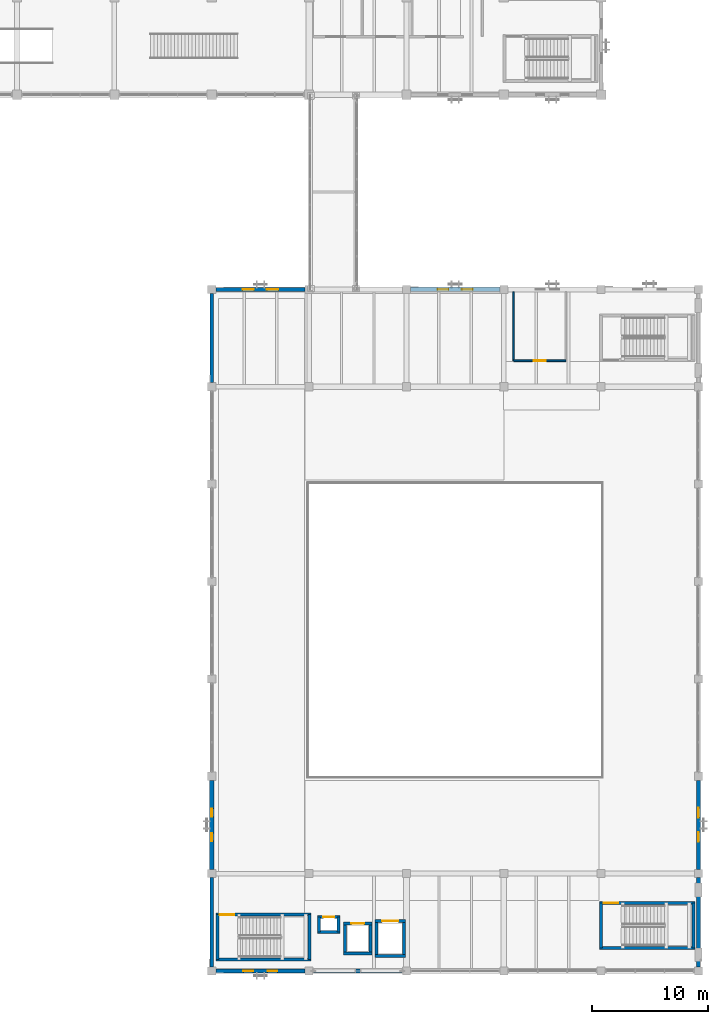
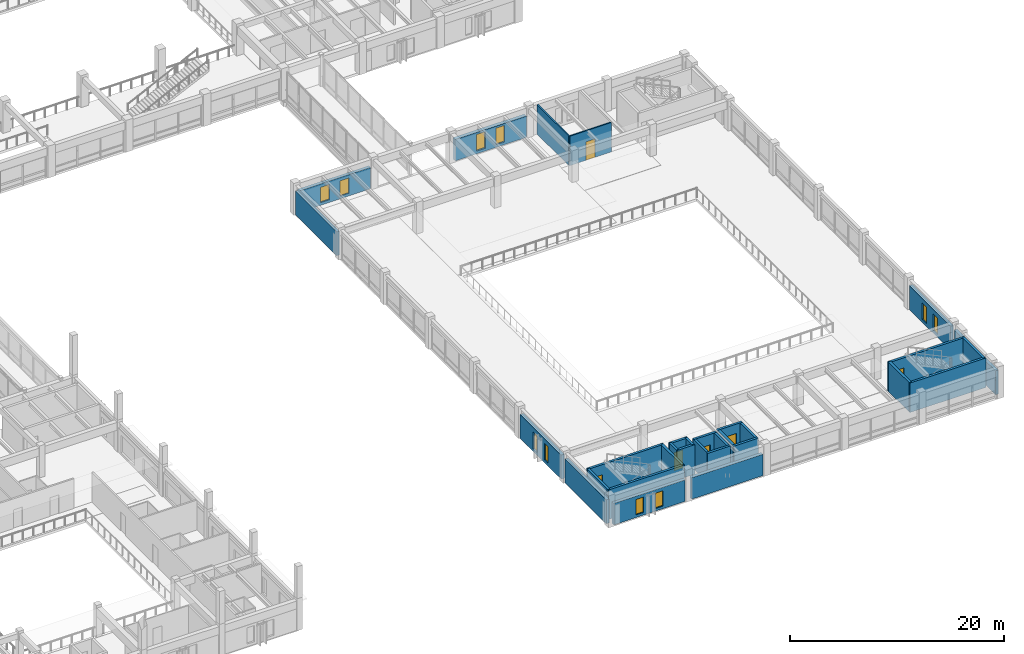
# One storey, part 79 of 118: 31 walls, 10 windows, 6 doors, 16 openings.
"""IFC4 building model written with IfcOpenShell, lengths in metres."""

from ifc_helpers import new_model, si_unit, direction, frame, frame_2d, origin, place, context, subcontext, project, spatial, rectangle, extrude, material, layer, layer_set, type_object, element, fill, save


model = new_model("IFC4")

# Units and contexts
model_context = context("Model", 3, precision=1e-05, world=origin(), true_north=direction((0.0, 1.0)))
body_context = subcontext(model_context, "Body", "Model", "MODEL_VIEW")
ifc_project = project(units=[si_unit("LENGTHUNIT", "METRE"), si_unit("AREAUNIT", "SQUARE_METRE"), si_unit("VOLUMEUNIT", "CUBIC_METRE"), si_unit("PLANEANGLEUNIT", "RADIAN"), si_unit("MASSUNIT", "GRAM", prefix="KILO")], contexts=[model_context])

# Site, building, storey
site_placement = place(None, origin())
site = spatial("IfcSite", under=ifc_project, at=site_placement, CompositionType="ELEMENT")
building_placement = place(site_placement, origin())
building = spatial("IfcBuilding", under=site, at=building_placement, Name="Cumbredor Promenade Congress Hotel", CompositionType="ELEMENT")
storey_placement = place(building_placement, frame((0.0, 0.0, 3.919921875)))
storey = spatial("IfcBuildingStorey", under=building, at=storey_placement, Name="L01", CompositionType="ELEMENT", Elevation=3.919921875)

# Wall
ifc_material_1 = material(Name="Concrete C40/50", Category="concrete")
ifc_layer_1 = layer(ifc_material_1, 0.280029296875, Name="Concrete C40/50", Category="concrete")
ifc_layer_set_1 = layer_set([ifc_layer_1], Name="Concrete C40/50")
wall_type_1 = type_object("IfcWallType", Name="WL-EXT-280", PredefinedType="SOLIDWALL", material=ifc_layer_set_1)
wall_1_placement = place(storey_placement, frame((142.800048828125, 59.15087890625, 0.0), z_axis=(0.0, 0.0, 1.0), x_axis=(0.0, 1.0, 0.0)))
element("IfcWall", 1, at=wall_1_placement, inside=storey, type_object=wall_type_1, Name="L01 Grand Ballroom Pavilion West Envelope Wall 7", PredefinedType="SOLIDWALL", context=body_context, shape_type="SweptSolid", body=[
    extrude(rectangle(XDim=7.6982421875, YDim=0.280029296875, at=frame_2d((3.84912109375, 0.0))), origin(), (0.0, 0.0, 1.0), 2.734130859375),
])

# Wall, openings, windows
ifc_layer_2 = layer(ifc_material_1, 0.324951171875, Name="Concrete C40/50", Category="concrete")
ifc_layer_set_2 = layer_set([ifc_layer_2], Name="Concrete C40/50")
wall_type_2 = type_object("IfcWallType", Name="WL-EXT-325", PredefinedType="SOLIDWALL", material=ifc_layer_set_2)
wall_2_placement = place(storey_placement, frame((143.15087890625, 8.39990234375, 0.0), z_axis=(0.0, 0.0, 1.0), x_axis=(1.0, 0.0, 0.0)))
wall_2 = element("IfcWall", 2, at=wall_2_placement, inside=storey, type_object=wall_type_2, Name="L01 Grand Ballroom Pavilion South Envelope Wall 1", PredefinedType="SOLIDWALL", context=body_context, shape_type="SweptSolid", body=[
    extrude(rectangle(XDim=7.6982421875, YDim=0.324951171875, at=frame_2d((3.84912109375, 0.0))), origin(), (0.0, 0.0, 1.0), 2.445068359375),
])
opening_1_placement = place(wall_2_placement, frame((2.37890625, 0.0, 0.300048828125)))
opening_1 = element("IfcOpeningElement", 3, at=opening_1_placement, cuts=wall_2, Name="Opening WN-62", PredefinedType="OPENING", context=body_context, shape_type="SweptSolid", body=[
    extrude(rectangle(XDim=0.840087890625, YDim=1.75, at=frame_2d((0.419921875, 0.875))), frame((0.0, 0.17236328125, 0.0), z_axis=(0.0, -1.0, 0.0), x_axis=(1.0, 0.0, 0.0)), (0.0, 0.0, 1.0), 0.344970703125),
])
opening_2_placement = place(wall_2_placement, frame((4.47900390625, 0.0, 0.300048828125)))
opening_2 = element("IfcOpeningElement", 4, at=opening_2_placement, cuts=wall_2, Name="Opening WN-62", PredefinedType="OPENING", context=body_context, shape_type="SweptSolid", body=[
    extrude(rectangle(XDim=0.840087890625, YDim=1.75, at=frame_2d((0.419921875, 0.875))), frame((0.0, 0.17236328125, 0.0), z_axis=(0.0, -1.0, 0.0), x_axis=(1.0, 0.0, 0.0)), (0.0, 0.0, 1.0), 0.344970703125),
])
ifc_material_2 = material(Name="Thermally broken anodized aluminium and low-E glass", Category="aluminium")
window_type_1 = type_object("IfcWindowType", Name="Vertical Slot Window WN-62 840x1750", PartitioningType="SINGLE_PANEL", PredefinedType="WINDOW", material=ifc_material_2)
window_1_placement = place(opening_1_placement, origin())
window_1 = element("IfcWindow", 5, at=window_1_placement, inside=storey, type_object=window_type_1, Name="L01 Vertical Slot Window 0109", OverallHeight=1.75, OverallWidth=0.840087890625, PartitioningType="SINGLE_PANEL", PredefinedType="WINDOW", context=body_context, shape_type="SweptSolid", body=[
    extrude(rectangle(XDim=0.840087890625, YDim=1.75, at=frame_2d((0.419921875, 0.875))), frame((0.0, 0.030029296875, 0.0), z_axis=(0.0, -1.0, 0.0), x_axis=(1.0, 0.0, 0.0)), (0.0, 0.0, 1.0), 0.06005859375),
])
fill(opening_1, window_1)
window_2_placement = place(opening_2_placement, origin())
window_2 = element("IfcWindow", 6, at=window_2_placement, inside=storey, type_object=window_type_1, Name="L01 Vertical Slot Window 0110", OverallHeight=1.75, OverallWidth=0.840087890625, PartitioningType="SINGLE_PANEL", PredefinedType="WINDOW", context=body_context, shape_type="SweptSolid", body=[
    extrude(rectangle(XDim=0.840087890625, YDim=1.75, at=frame_2d((0.419921875, 0.875))), frame((0.0, 0.030029296875, 0.0), z_axis=(0.0, -1.0, 0.0), x_axis=(1.0, 0.0, 0.0)), (0.0, 0.0, 1.0), 0.06005859375),
])
fill(opening_2, window_2)

wall_3_placement = place(storey_placement, frame((143.15087890625, 67.199951171875, 0.0), z_axis=(0.0, 0.0, 1.0), x_axis=(1.0, 0.0, 0.0)))
wall_3 = element("IfcWall", 7, at=wall_3_placement, inside=storey, type_object=wall_type_2, Name="L01 Grand Ballroom Pavilion North Envelope Wall 1", PredefinedType="SOLIDWALL", context=body_context, shape_type="SweptSolid", body=[
    extrude(rectangle(XDim=7.6982421875, YDim=0.324951171875, at=frame_2d((3.84912109375, 0.0))), origin(), (0.0, 0.0, 1.0), 2.445068359375),
])
opening_3_placement = place(wall_3_placement, frame((2.30908203125, 0.0, 0.300048828125)))
opening_3 = element("IfcOpeningElement", 8, at=opening_3_placement, cuts=wall_3, Name="Opening WN-64", PredefinedType="OPENING", context=body_context, shape_type="SweptSolid", body=[
    extrude(rectangle(XDim=0.97998046875, YDim=1.75, at=frame_2d((0.489990234375, 0.875))), frame((0.0, 0.17236328125, 0.0), z_axis=(0.0, -1.0, 0.0), x_axis=(1.0, 0.0, 0.0)), (0.0, 0.0, 1.0), 0.344970703125),
])
opening_4_placement = place(wall_3_placement, frame((4.408935546875, 0.0, 0.300048828125)))
opening_4 = element("IfcOpeningElement", 9, at=opening_4_placement, cuts=wall_3, Name="Opening WN-64", PredefinedType="OPENING", context=body_context, shape_type="SweptSolid", body=[
    extrude(rectangle(XDim=0.97998046875, YDim=1.75, at=frame_2d((0.489990234375, 0.875))), frame((0.0, 0.17236328125, 0.0), z_axis=(0.0, -1.0, 0.0), x_axis=(1.0, 0.0, 0.0)), (0.0, 0.0, 1.0), 0.344970703125),
])
window_type_2 = type_object("IfcWindowType", Name="Vertical Slot Window WN-64 980x1750", PartitioningType="SINGLE_PANEL", PredefinedType="WINDOW", material=ifc_material_2)
window_3_placement = place(opening_3_placement, origin())
window_3 = element("IfcWindow", 10, at=window_3_placement, inside=storey, type_object=window_type_2, Name="L01 Vertical Slot Window 0111", OverallHeight=1.75, OverallWidth=0.97998046875, PartitioningType="SINGLE_PANEL", PredefinedType="WINDOW", context=body_context, shape_type="SweptSolid", body=[
    extrude(rectangle(XDim=0.97998046875, YDim=1.75, at=frame_2d((0.489990234375, 0.875))), frame((0.0, 0.030029296875, 0.0), z_axis=(0.0, -1.0, 0.0), x_axis=(1.0, 0.0, 0.0)), (0.0, 0.0, 1.0), 0.06005859375),
])
fill(opening_3, window_3)
window_4_placement = place(opening_4_placement, origin())
window_4 = element("IfcWindow", 11, at=window_4_placement, inside=storey, type_object=window_type_2, Name="L01 Vertical Slot Window 0112", OverallHeight=1.75, OverallWidth=0.97998046875, PartitioningType="SINGLE_PANEL", PredefinedType="WINDOW", context=body_context, shape_type="SweptSolid", body=[
    extrude(rectangle(XDim=0.97998046875, YDim=1.75, at=frame_2d((0.489990234375, 0.875))), frame((0.0, 0.030029296875, 0.0), z_axis=(0.0, -1.0, 0.0), x_axis=(1.0, 0.0, 0.0)), (0.0, 0.0, 1.0), 0.06005859375),
])
fill(opening_4, window_4)

# Walls
for number, where, z_axis, x_axis, name in (
    (12, (142.800048828125, 8.7509765625, 0.0), (0.0, 0.0, 1.0), (0.0, 1.0, 0.0), "L01 Grand Ballroom Pavilion West Envelope Wall 1"),
    (13, (184.800048828125, 8.7509765625, 0.0), (0.0, 0.0, 1.0), (0.0, 1.0, 0.0), "L01 Grand Ballroom Pavilion East Envelope Wall 1"),
):
    element("IfcWall", number, at=place(storey_placement, frame(where, z_axis=z_axis, x_axis=x_axis)), inside=storey, type_object=wall_type_2, Name=name, PredefinedType="SOLIDWALL", context=body_context, shape_type="SweptSolid", body=[
        extrude(rectangle(XDim=7.697998046875, YDim=0.324951171875, at=frame_2d((3.84912109375, 0.0))), origin(), (0.0, 0.0, 1.0), 2.734130859375),
    ])
ifc_layer_3 = layer(ifc_material_1, 0.35009765625, Name="Concrete C40/50", Category="concrete")
ifc_layer_set_3 = layer_set([ifc_layer_3], Name="Concrete C40/50")
wall_type_3 = type_object("IfcWallType", Name="WL-EXT-350", PredefinedType="SOLIDWALL", material=ifc_layer_set_3)
wall_4_placement = place(storey_placement, frame((151.551025390625, 8.39990234375, 0.0), z_axis=(0.0, 0.0, 1.0), x_axis=(1.0, 0.0, 0.0)))
element("IfcWall", 14, at=wall_4_placement, inside=storey, type_object=wall_type_3, Name="L01 Grand Ballroom Pavilion South Envelope Wall 2", PredefinedType="SOLIDWALL", context=body_context, shape_type="SweptSolid", body=[
    extrude(rectangle(XDim=7.697998046875, YDim=0.35009765625, at=frame_2d((3.84912109375, 0.0))), origin(), (0.0, 0.0, 1.0), 2.445068359375),
])

# Wall, openings, windows
wall_5_placement = place(storey_placement, frame((142.800048828125, 17.15087890625, 0.0), z_axis=(0.0, 0.0, 1.0), x_axis=(0.0, 1.0, 0.0)))
wall_5 = element("IfcWall", 15, at=wall_5_placement, inside=storey, type_object=wall_type_3, Name="L01 Grand Ballroom Pavilion West Envelope Wall 2", PredefinedType="SOLIDWALL", context=body_context, shape_type="SweptSolid", body=[
    extrude(rectangle(XDim=7.6982421875, YDim=0.35009765625, at=frame_2d((3.84912109375, 0.0))), origin(), (0.0, 0.0, 1.0), 2.734130859375),
])
opening_5_placement = place(wall_5_placement, frame((2.448974609375, 0.0, 0.300048828125)))
opening_5 = element("IfcOpeningElement", 16, at=opening_5_placement, cuts=wall_5, Name="Opening WN-65", PredefinedType="OPENING", context=body_context, shape_type="SweptSolid", body=[
    extrude(rectangle(XDim=0.699951171875, YDim=1.89990234375, at=frame_2d((0.35009765625, 0.949951171875))), frame((0.0, 0.18505859375, 0.0), z_axis=(0.0, -1.0, 0.0), x_axis=(1.0, 0.0, 0.0)), (0.0, 0.0, 1.0), 0.3701171875),
])
opening_6_placement = place(wall_5_placement, frame((4.549072265625, 0.0, 0.300048828125)))
opening_6 = element("IfcOpeningElement", 17, at=opening_6_placement, cuts=wall_5, Name="Opening WN-65", PredefinedType="OPENING", context=body_context, shape_type="SweptSolid", body=[
    extrude(rectangle(XDim=0.699951171875, YDim=1.89990234375, at=frame_2d((0.35009765625, 0.949951171875))), frame((0.0, 0.18505859375, 0.0), z_axis=(0.0, -1.0, 0.0), x_axis=(1.0, 0.0, 0.0)), (0.0, 0.0, 1.0), 0.3701171875),
])
window_type_3 = type_object("IfcWindowType", Name="Vertical Slot Window WN-65 700x1900", PartitioningType="SINGLE_PANEL", PredefinedType="WINDOW", material=ifc_material_2)
window_5_placement = place(opening_5_placement, origin())
window_5 = element("IfcWindow", 18, at=window_5_placement, inside=storey, type_object=window_type_3, Name="L01 Vertical Slot Window 0119", OverallHeight=1.89990234375, OverallWidth=0.699951171875, PartitioningType="SINGLE_PANEL", PredefinedType="WINDOW", context=body_context, shape_type="SweptSolid", body=[
    extrude(rectangle(XDim=0.699951171875, YDim=1.89990234375, at=frame_2d((0.35009765625, 0.949951171875))), frame((0.0, 0.030029296875, 0.0), z_axis=(0.0, -1.0, 0.0), x_axis=(1.0, 0.0, 0.0)), (0.0, 0.0, 1.0), 0.06005859375),
])
fill(opening_5, window_5)
window_6_placement = place(opening_6_placement, origin())
window_6 = element("IfcWindow", 19, at=window_6_placement, inside=storey, type_object=window_type_3, Name="L01 Vertical Slot Window 0120", OverallHeight=1.89990234375, OverallWidth=0.699951171875, PartitioningType="SINGLE_PANEL", PredefinedType="WINDOW", context=body_context, shape_type="SweptSolid", body=[
    extrude(rectangle(XDim=0.699951171875, YDim=1.89990234375, at=frame_2d((0.35009765625, 0.949951171875))), frame((0.0, 0.030029296875, 0.0), z_axis=(0.0, -1.0, 0.0), x_axis=(1.0, 0.0, 0.0)), (0.0, 0.0, 1.0), 0.06005859375),
])
fill(opening_6, window_6)

wall_6_placement = place(storey_placement, frame((184.800048828125, 17.15087890625, 0.0), z_axis=(0.0, 0.0, 1.0), x_axis=(0.0, 1.0, 0.0)))
wall_6 = element("IfcWall", 20, at=wall_6_placement, inside=storey, type_object=wall_type_3, Name="L01 Grand Ballroom Pavilion East Envelope Wall 2", PredefinedType="SOLIDWALL", context=body_context, shape_type="SweptSolid", body=[
    extrude(rectangle(XDim=7.6982421875, YDim=0.35009765625, at=frame_2d((3.84912109375, 0.0))), origin(), (0.0, 0.0, 1.0), 2.734130859375),
])
opening_7_placement = place(wall_6_placement, frame((2.3740234375, 0.0, 0.300048828125)))
opening_7 = element("IfcOpeningElement", 21, at=opening_7_placement, cuts=wall_6, Name="Opening WN-67", PredefinedType="OPENING", context=body_context, shape_type="SweptSolid", body=[
    extrude(rectangle(XDim=0.85009765625, YDim=1.89990234375, at=frame_2d((0.425048828125, 0.949951171875))), frame((0.0, 0.18505859375, 0.0), z_axis=(0.0, -1.0, 0.0), x_axis=(1.0, 0.0, 0.0)), (0.0, 0.0, 1.0), 0.3701171875),
])
opening_8_placement = place(wall_6_placement, frame((4.47412109375, 0.0, 0.300048828125)))
opening_8 = element("IfcOpeningElement", 22, at=opening_8_placement, cuts=wall_6, Name="Opening WN-67", PredefinedType="OPENING", context=body_context, shape_type="SweptSolid", body=[
    extrude(rectangle(XDim=0.85009765625, YDim=1.89990234375, at=frame_2d((0.425048828125, 0.949951171875))), frame((0.0, 0.18505859375, 0.0), z_axis=(0.0, -1.0, 0.0), x_axis=(1.0, 0.0, 0.0)), (0.0, 0.0, 1.0), 0.3701171875),
])
window_type_4 = type_object("IfcWindowType", Name="Vertical Slot Window WN-67 850x1900", PartitioningType="SINGLE_PANEL", PredefinedType="WINDOW", material=ifc_material_2)
window_7_placement = place(opening_7_placement, origin())
window_7 = element("IfcWindow", 23, at=window_7_placement, inside=storey, type_object=window_type_4, Name="L01 Vertical Slot Window 0121", OverallHeight=1.89990234375, OverallWidth=0.85009765625, PartitioningType="SINGLE_PANEL", PredefinedType="WINDOW", context=body_context, shape_type="SweptSolid", body=[
    extrude(rectangle(XDim=0.85009765625, YDim=1.89990234375, at=frame_2d((0.425048828125, 0.949951171875))), frame((0.0, 0.030029296875, 0.0), z_axis=(0.0, -1.0, 0.0), x_axis=(1.0, 0.0, 0.0)), (0.0, 0.0, 1.0), 0.06005859375),
])
fill(opening_7, window_7)
window_8_placement = place(opening_8_placement, origin())
window_8 = element("IfcWindow", 24, at=window_8_placement, inside=storey, type_object=window_type_4, Name="L01 Vertical Slot Window 0122", OverallHeight=1.89990234375, OverallWidth=0.85009765625, PartitioningType="SINGLE_PANEL", PredefinedType="WINDOW", context=body_context, shape_type="SweptSolid", body=[
    extrude(rectangle(XDim=0.85009765625, YDim=1.89990234375, at=frame_2d((0.425048828125, 0.949951171875))), frame((0.0, 0.030029296875, 0.0), z_axis=(0.0, -1.0, 0.0), x_axis=(1.0, 0.0, 0.0)), (0.0, 0.0, 1.0), 0.06005859375),
])
fill(opening_8, window_8)

ifc_layer_4 = layer(ifc_material_1, 0.3798828125, Name="Concrete C40/50", Category="concrete")
ifc_layer_set_4 = layer_set([ifc_layer_4], Name="Concrete C40/50")
wall_type_4 = type_object("IfcWallType", Name="WL-EXT-380", PredefinedType="SOLIDWALL", material=ifc_layer_set_4)
wall_7_placement = place(storey_placement, frame((159.950927734375, 67.199951171875, 0.0), z_axis=(0.0, 0.0, 1.0), x_axis=(1.0, 0.0, 0.0)))
wall_7 = element("IfcWall", 25, at=wall_7_placement, inside=storey, type_object=wall_type_4, Name="L01 Grand Ballroom Pavilion North Envelope Wall 3", PredefinedType="SOLIDWALL", context=body_context, shape_type="SweptSolid", body=[
    extrude(rectangle(XDim=7.697998046875, YDim=0.3798828125, at=frame_2d((3.84912109375, 0.0))), origin(), (0.0, 0.0, 1.0), 2.445068359375),
])
opening_9_placement = place(wall_7_placement, frame((2.333984375, 0.0, 0.300048828125)))
opening_9 = element("IfcOpeningElement", 26, at=opening_9_placement, cuts=wall_7, Name="Opening WN-68", PredefinedType="OPENING", context=body_context, shape_type="SweptSolid", body=[
    extrude(rectangle(XDim=0.929931640625, YDim=1.89990234375, at=frame_2d((0.46484375, 0.949951171875))), frame((0.0, 0.199951171875, 0.0), z_axis=(0.0, -1.0, 0.0), x_axis=(1.0, 0.0, 0.0)), (0.0, 0.0, 1.0), 0.39990234375),
])
opening_10_placement = place(wall_7_placement, frame((4.43408203125, 0.0, 0.300048828125)))
opening_10 = element("IfcOpeningElement", 27, at=opening_10_placement, cuts=wall_7, Name="Opening WN-68", PredefinedType="OPENING", context=body_context, shape_type="SweptSolid", body=[
    extrude(rectangle(XDim=0.929931640625, YDim=1.89990234375, at=frame_2d((0.46484375, 0.949951171875))), frame((0.0, 0.199951171875, 0.0), z_axis=(0.0, -1.0, 0.0), x_axis=(1.0, 0.0, 0.0)), (0.0, 0.0, 1.0), 0.39990234375),
])
window_type_5 = type_object("IfcWindowType", Name="Vertical Slot Window WN-68 930x1900", PartitioningType="SINGLE_PANEL", PredefinedType="WINDOW", material=ifc_material_2)
window_9_placement = place(opening_9_placement, origin())
window_9 = element("IfcWindow", 28, at=window_9_placement, inside=storey, type_object=window_type_5, Name="L01 Vertical Slot Window 0113", OverallHeight=1.89990234375, OverallWidth=0.929931640625, PartitioningType="SINGLE_PANEL", PredefinedType="WINDOW", context=body_context, shape_type="SweptSolid", body=[
    extrude(rectangle(XDim=0.929931640625, YDim=1.89990234375, at=frame_2d((0.46484375, 0.949951171875))), frame((0.0, 0.030029296875, 0.0), z_axis=(0.0, -1.0, 0.0), x_axis=(1.0, 0.0, 0.0)), (0.0, 0.0, 1.0), 0.06005859375),
])
fill(opening_9, window_9)
window_10_placement = place(opening_10_placement, origin())
window_10 = element("IfcWindow", 29, at=window_10_placement, inside=storey, type_object=window_type_5, Name="L01 Vertical Slot Window 0114", OverallHeight=1.89990234375, OverallWidth=0.929931640625, PartitioningType="SINGLE_PANEL", PredefinedType="WINDOW", context=body_context, shape_type="SweptSolid", body=[
    extrude(rectangle(XDim=0.929931640625, YDim=1.89990234375, at=frame_2d((0.46484375, 0.949951171875))), frame((0.0, 0.030029296875, 0.0), z_axis=(0.0, -1.0, 0.0), x_axis=(1.0, 0.0, 0.0)), (0.0, 0.0, 1.0), 0.06005859375),
])
fill(opening_10, window_10)

# Wall, opening, door
ifc_material_3 = material(Name="Acoustic gypsum partition on steel studs", Category="steel")
ifc_layer_5 = layer(ifc_material_3, 0.139892578125, Name="Acoustic gypsum partition on steel studs", Category="steel")
ifc_layer_set_5 = layer_set([ifc_layer_5], Name="Acoustic gypsum partition on steel studs")
wall_type_5 = type_object("IfcWallType", Name="WL-PART-140", PredefinedType="PARTITIONING", material=ifc_layer_set_5)
wall_8_placement = place(storey_placement, frame((168.85009765625, 61.050048828125, 0.0), z_axis=(0.0, 0.0, 1.0), x_axis=(1.0, 0.0, 0.0)))
wall_8 = element("IfcWall", 30, at=wall_8_placement, inside=storey, type_object=wall_type_5, Name="L01 Interior Partition W-L01-V2-WC", PredefinedType="PARTITIONING", context=body_context, shape_type="SweptSolid", body=[
    extrude(rectangle(XDim=4.5, YDim=0.139892578125, at=frame_2d((2.25, 0.0))), origin(), (0.0, 0.0, 1.0), 3.360107421875),
])
opening_11_placement = place(wall_8_placement, frame((1.75, 0.0, 0.0)))
opening_11 = element("IfcOpeningElement", 31, at=opening_11_placement, cuts=wall_8, Name="Opening ID-03", PredefinedType="OPENING", context=body_context, shape_type="SweptSolid", body=[
    extrude(rectangle(XDim=1.0, YDim=2.10009765625, at=frame_2d((0.5, 1.050048828125))), frame((0.0, 0.080078125, 0.0), z_axis=(0.0, -1.0, 0.0), x_axis=(1.0, 0.0, 0.0)), (0.0, 0.0, 1.0), 0.159912109375),
])
ifc_material_4 = material(Name="Kiln-dried tropical hardwood", Category="wood")
door_type_1 = type_object("IfcDoorType", Name="DR-ACC-1000", OperationType="NOTDEFINED", PredefinedType="DOOR", material=ifc_material_4)
door_1_placement = place(opening_11_placement, origin())
door_1 = element("IfcDoor", 32, at=door_1_placement, inside=storey, type_object=door_type_1, Name="L01 Interior Door W-L01-V2-WC-01", OperationType="SINGLE_SWING_RIGHT", OverallHeight=2.10009765625, OverallWidth=1.0, PredefinedType="DOOR", context=body_context, shape_type="SweptSolid", body=[
    extrude(rectangle(XDim=1.0, YDim=2.10009765625, at=frame_2d((0.5, 1.050048828125))), frame((0.0, 0.02490234375, 0.0), z_axis=(0.0, -1.0, 0.0), x_axis=(1.0, 0.0, 0.0)), (0.0, 0.0, 1.0), 0.050048828125),
])
fill(opening_11, door_1)

# Walls
wall_9_placement = place(storey_placement, frame((168.85009765625, 61.050048828125, 0.0), z_axis=(0.0, 0.0, 1.0), x_axis=(0.0, 1.0, 0.0)))
element("IfcWall", 33, at=wall_9_placement, inside=storey, type_object=wall_type_5, Name="L01 Interior Partition W-L01-V2-WC-W", PredefinedType="PARTITIONING", context=body_context, shape_type="SweptSolid", body=[
    extrude(rectangle(XDim=5.9375, YDim=0.139892578125, at=frame_2d((2.96875, 0.0))), origin(), (0.0, 0.0, 1.0), 3.360107421875),
])
ifc_layer_6 = layer(ifc_material_1, 0.2548828125, Name="Concrete C40/50", Category="concrete")
ifc_layer_set_6 = layer_set([ifc_layer_6], Name="Concrete C40/50")
wall_type_6 = type_object("IfcWallType", Name="WL-SHAFT-250", PredefinedType="SOLIDWALL", material=ifc_layer_set_6)
wall_10_placement = place(storey_placement, frame((143.152587890625, 9.3798828125, 0.0), z_axis=(0.0, 0.0, 1.0), x_axis=(1.0, 0.0, 0.0)))
element("IfcWall", 34, at=wall_10_placement, inside=storey, type_object=wall_type_6, Name="STAIR-ST-08-L01 Shaft Wall South", PredefinedType="SOLIDWALL", context=body_context, shape_type="SweptSolid", body=[
    extrude(rectangle(XDim=8.224853515625, YDim=0.2548828125, at=frame_2d((4.1123046875, 0.0))), origin(), (0.0, 0.0, 1.0), 3.360107421875),
])

# Wall, opening, door
wall_11_placement = place(storey_placement, frame((143.152587890625, 13.25, 0.0), z_axis=(0.0, 0.0, 1.0), x_axis=(1.0, 0.0, 0.0)))
wall_11 = element("IfcWall", 35, at=wall_11_placement, inside=storey, type_object=wall_type_6, Name="STAIR-ST-08-L01 Shaft Wall North", PredefinedType="SOLIDWALL", context=body_context, shape_type="SweptSolid", body=[
    extrude(rectangle(XDim=8.224853515625, YDim=0.2548828125, at=frame_2d((4.1123046875, 0.0))), origin(), (0.0, 0.0, 1.0), 3.360107421875),
])
opening_12_placement = place(wall_11_placement, frame((0.35009765625, 0.0, 0.0)))
opening_12 = element("IfcOpeningElement", 36, at=opening_12_placement, cuts=wall_11, Name="Opening SD-02", PredefinedType="OPENING", context=body_context, shape_type="SweptSolid", body=[
    extrude(rectangle(XDim=1.25, YDim=2.199951171875, at=frame_2d((0.625, 1.10009765625))), frame((0.0, 0.137451171875, 0.0), z_axis=(0.0, -1.0, 0.0), x_axis=(1.0, 0.0, 0.0)), (0.0, 0.0, 1.0), 0.27490234375),
])
ifc_material_5 = material(Name="Painted galvanized steel fire door", Category="steel")
door_type_2 = type_object("IfcDoorType", Name="DR-STAIR-FD90-1250", OperationType="NOTDEFINED", PredefinedType="DOOR", material=ifc_material_5)
door_2_placement = place(opening_12_placement, origin())
door_2 = element("IfcDoor", 37, at=door_2_placement, inside=storey, type_object=door_type_2, Name="L01 Protected Exit Stair ST-08 Door", OperationType="SINGLE_SWING_RIGHT", OverallHeight=2.199951171875, OverallWidth=1.25, PredefinedType="DOOR", context=body_context, shape_type="SweptSolid", body=[
    extrude(rectangle(XDim=1.25, YDim=2.199951171875, at=frame_2d((0.625, 1.10009765625))), frame((0.0, 0.02490234375, 0.0), z_axis=(0.0, -1.0, 0.0), x_axis=(1.0, 0.0, 0.0)), (0.0, 0.0, 1.0), 0.050048828125),
])
fill(opening_12, door_2)

# Walls
for number, where, z_axis, x_axis, name in (
    (38, (143.280029296875, 9.3798828125, 0.0), (0.0, 0.0, 1.0), (0.0, 1.0, 0.0), "STAIR-ST-08-L01 Shaft Wall West"),
    (39, (151.25, 9.3798828125, 0.0), (0.0, 0.0, 1.0), (0.0, 1.0, 0.0), "STAIR-ST-08-L01 Shaft Wall East"),
):
    element("IfcWall", number, at=place(storey_placement, frame(where, z_axis=z_axis, x_axis=x_axis)), inside=storey, type_object=wall_type_6, Name=name, PredefinedType="SOLIDWALL", context=body_context, shape_type="SweptSolid", body=[
        extrude(rectangle(XDim=3.8701171875, YDim=0.2548828125, at=frame_2d((1.93505859375, 0.0))), origin(), (0.0, 0.0, 1.0), 3.360107421875),
    ])
wall_12_placement = place(storey_placement, frame((176.25244140625, 10.3798828125, 0.0), z_axis=(0.0, 0.0, 1.0), x_axis=(1.0, 0.0, 0.0)))
element("IfcWall", 40, at=wall_12_placement, inside=storey, type_object=wall_type_6, Name="STAIR-ST-09-L01 Shaft Wall South", PredefinedType="SOLIDWALL", context=body_context, shape_type="SweptSolid", body=[
    extrude(rectangle(XDim=8.22509765625, YDim=0.2548828125, at=frame_2d((4.112548828125, 0.0))), origin(), (0.0, 0.0, 1.0), 3.360107421875),
])

# Wall, opening, door
wall_13_placement = place(storey_placement, frame((176.25244140625, 14.25, 0.0), z_axis=(0.0, 0.0, 1.0), x_axis=(1.0, 0.0, 0.0)))
wall_13 = element("IfcWall", 41, at=wall_13_placement, inside=storey, type_object=wall_type_6, Name="STAIR-ST-09-L01 Shaft Wall North", PredefinedType="SOLIDWALL", context=body_context, shape_type="SweptSolid", body=[
    extrude(rectangle(XDim=8.22509765625, YDim=0.2548828125, at=frame_2d((4.112548828125, 0.0))), origin(), (0.0, 0.0, 1.0), 3.360107421875),
])
opening_13_placement = place(wall_13_placement, frame((0.35009765625, 0.0, 0.0)))
opening_13 = element("IfcOpeningElement", 42, at=opening_13_placement, cuts=wall_13, Name="Opening SD-02", PredefinedType="OPENING", context=body_context, shape_type="SweptSolid", body=[
    extrude(rectangle(XDim=1.25, YDim=2.199951171875, at=frame_2d((0.625, 1.10009765625))), frame((0.0, 0.137451171875, 0.0), z_axis=(0.0, -1.0, 0.0), x_axis=(1.0, 0.0, 0.0)), (0.0, 0.0, 1.0), 0.27490234375),
])
door_3_placement = place(opening_13_placement, origin())
door_3 = element("IfcDoor", 43, at=door_3_placement, inside=storey, type_object=door_type_2, Name="L01 Protected Exit Stair ST-09 Door", OperationType="SINGLE_SWING_LEFT", OverallHeight=2.199951171875, OverallWidth=1.25, PredefinedType="DOOR", context=body_context, shape_type="SweptSolid", body=[
    extrude(rectangle(XDim=1.25, YDim=2.199951171875, at=frame_2d((0.625, 1.10009765625))), frame((0.0, 0.02490234375, 0.0), z_axis=(0.0, -1.0, 0.0), x_axis=(1.0, 0.0, 0.0)), (0.0, 0.0, 1.0), 0.050048828125),
])
fill(opening_13, door_3)

# Walls
for number, where, z_axis, x_axis, name in (
    (44, (176.3798828125, 10.3798828125, 0.0), (0.0, 0.0, 1.0), (0.0, 1.0, 0.0), "STAIR-ST-09-L01 Shaft Wall West"),
    (45, (184.35009765625, 10.3798828125, 0.0), (0.0, 0.0, 1.0), (0.0, 1.0, 0.0), "STAIR-ST-09-L01 Shaft Wall East"),
):
    element("IfcWall", number, at=place(storey_placement, frame(where, z_axis=z_axis, x_axis=x_axis)), inside=storey, type_object=wall_type_6, Name=name, PredefinedType="SOLIDWALL", context=body_context, shape_type="SweptSolid", body=[
        extrude(rectangle(XDim=3.8701171875, YDim=0.2548828125, at=frame_2d((1.93505859375, 0.0))), origin(), (0.0, 0.0, 1.0), 3.360107421875),
    ])
wall_14_placement = place(storey_placement, frame((154.172607421875, 9.89990234375, 0.0), z_axis=(0.0, 0.0, 1.0), x_axis=(1.0, 0.0, 0.0)))
element("IfcWall", 46, at=wall_14_placement, inside=storey, type_object=wall_type_6, Name="SHAFT-PL-07-L01 Shaft Wall South", PredefinedType="SOLIDWALL", context=body_context, shape_type="SweptSolid", body=[
    extrude(rectangle(XDim=2.454833984375, YDim=0.2548828125, at=frame_2d((1.2275390625, 0.0))), origin(), (0.0, 0.0, 1.0), 3.360107421875),
])

# Wall, opening, door
wall_15_placement = place(storey_placement, frame((154.172607421875, 12.5, 0.0), z_axis=(0.0, 0.0, 1.0), x_axis=(1.0, 0.0, 0.0)))
wall_15 = element("IfcWall", 47, at=wall_15_placement, inside=storey, type_object=wall_type_6, Name="SHAFT-PL-07-L01 Shaft Wall North", PredefinedType="SOLIDWALL", context=body_context, shape_type="SweptSolid", body=[
    extrude(rectangle(XDim=2.454833984375, YDim=0.2548828125, at=frame_2d((1.2275390625, 0.0))), origin(), (0.0, 0.0, 1.0), 3.360107421875),
])
opening_14_placement = place(wall_15_placement, frame((0.677490234375, 0.0, 0.0)))
opening_14 = element("IfcOpeningElement", 48, at=opening_14_placement, cuts=wall_15, Name="Opening LD-01", PredefinedType="OPENING", context=body_context, shape_type="SweptSolid", body=[
    extrude(rectangle(XDim=1.10009765625, YDim=2.14990234375, at=frame_2d((0.550048828125, 1.074951171875))), frame((0.0, 0.137451171875, 0.0), z_axis=(0.0, -1.0, 0.0), x_axis=(1.0, 0.0, 0.0)), (0.0, 0.0, 1.0), 0.27490234375),
])
ifc_material_6 = material(Name="Brushed stainless steel", Category="steel")
door_type_3 = type_object("IfcDoorType", Name="Lift Landing Sliding Door LD-01 1100x2150", OperationType="DOUBLE_DOOR_SLIDING", PredefinedType="DOOR", material=ifc_material_6)
door_4_placement = place(opening_14_placement, origin())
door_4 = element("IfcDoor", 49, at=door_4_placement, inside=storey, type_object=door_type_3, Name="L01 Ballroom Passenger Lift PL-07 Sliding Landing Door", OperationType="DOUBLE_DOOR_SLIDING", OverallHeight=2.14990234375, OverallWidth=1.10009765625, PredefinedType="DOOR", context=body_context, shape_type="SweptSolid", body=[
    extrude(rectangle(XDim=1.10009765625, YDim=2.14990234375, at=frame_2d((0.550048828125, 1.074951171875))), frame((0.0, 0.02490234375, 0.0), z_axis=(0.0, -1.0, 0.0), x_axis=(1.0, 0.0, 0.0)), (0.0, 0.0, 1.0), 0.050048828125),
])
fill(opening_14, door_4)

# Walls
for number, where, z_axis, x_axis, name in (
    (50, (154.300048828125, 9.89990234375, 0.0), (0.0, 0.0, 1.0), (0.0, 1.0, 0.0), "SHAFT-PL-07-L01 Shaft Wall West"),
    (51, (156.5, 9.89990234375, 0.0), (0.0, 0.0, 1.0), (0.0, 1.0, 0.0), "SHAFT-PL-07-L01 Shaft Wall East"),
):
    element("IfcWall", number, at=place(storey_placement, frame(where, z_axis=z_axis, x_axis=x_axis)), inside=storey, type_object=wall_type_6, Name=name, PredefinedType="SOLIDWALL", context=body_context, shape_type="SweptSolid", body=[
        extrude(rectangle(XDim=2.60009765625, YDim=0.2548828125, at=frame_2d((1.300048828125, 0.0))), origin(), (0.0, 0.0, 1.0), 3.360107421875),
    ])
wall_16_placement = place(storey_placement, frame((156.87255859375, 9.699951171875, 0.0), z_axis=(0.0, 0.0, 1.0), x_axis=(1.0, 0.0, 0.0)))
element("IfcWall", 52, at=wall_16_placement, inside=storey, type_object=wall_type_6, Name="SHAFT-SV-02-L01 Shaft Wall South", PredefinedType="SOLIDWALL", context=body_context, shape_type="SweptSolid", body=[
    extrude(rectangle(XDim=2.655029296875, YDim=0.2548828125, at=frame_2d((1.32763671875, 0.0))), origin(), (0.0, 0.0, 1.0), 3.360107421875),
])

# Wall, opening, door
wall_17_placement = place(storey_placement, frame((156.87255859375, 12.699951171875, 0.0), z_axis=(0.0, 0.0, 1.0), x_axis=(1.0, 0.0, 0.0)))
wall_17 = element("IfcWall", 53, at=wall_17_placement, inside=storey, type_object=wall_type_6, Name="SHAFT-SV-02-L01 Shaft Wall North", PredefinedType="SOLIDWALL", context=body_context, shape_type="SweptSolid", body=[
    extrude(rectangle(XDim=2.655029296875, YDim=0.2548828125, at=frame_2d((1.32763671875, 0.0))), origin(), (0.0, 0.0, 1.0), 3.360107421875),
])
opening_15_placement = place(wall_17_placement, frame((0.62744140625, 0.0, 0.0)))
opening_15 = element("IfcOpeningElement", 54, at=opening_15_placement, cuts=wall_17, Name="Opening LD-03", PredefinedType="OPENING", context=body_context, shape_type="SweptSolid", body=[
    extrude(rectangle(XDim=1.39990234375, YDim=2.300048828125, at=frame_2d((0.699951171875, 1.14990234375))), frame((0.0, 0.137451171875, 0.0), z_axis=(0.0, -1.0, 0.0), x_axis=(1.0, 0.0, 0.0)), (0.0, 0.0, 1.0), 0.27490234375),
])
door_type_4 = type_object("IfcDoorType", Name="Service Lift Sliding Door LD-03 1400x2300", OperationType="DOUBLE_DOOR_SLIDING", PredefinedType="DOOR", material=ifc_material_6)
door_5_placement = place(opening_15_placement, origin())
door_5 = element("IfcDoor", 55, at=door_5_placement, inside=storey, type_object=door_type_4, Name="L01 Ballroom Service Lift SV-02 Sliding Landing Door", OperationType="DOUBLE_DOOR_SLIDING", OverallHeight=2.300048828125, OverallWidth=1.39990234375, PredefinedType="DOOR", context=body_context, shape_type="SweptSolid", body=[
    extrude(rectangle(XDim=1.39990234375, YDim=2.300048828125, at=frame_2d((0.699951171875, 1.14990234375))), frame((0.0, 0.02490234375, 0.0), z_axis=(0.0, -1.0, 0.0), x_axis=(1.0, 0.0, 0.0)), (0.0, 0.0, 1.0), 0.050048828125),
])
fill(opening_15, door_5)

# Walls
for number, where, z_axis, x_axis, name in (
    (56, (157.0, 9.699951171875, 0.0), (0.0, 0.0, 1.0), (0.0, 1.0, 0.0), "SHAFT-SV-02-L01 Shaft Wall West"),
    (57, (159.39990234375, 9.699951171875, 0.0), (0.0, 0.0, 1.0), (0.0, 1.0, 0.0), "SHAFT-SV-02-L01 Shaft Wall East"),
):
    element("IfcWall", number, at=place(storey_placement, frame(where, z_axis=z_axis, x_axis=x_axis)), inside=storey, type_object=wall_type_6, Name=name, PredefinedType="SOLIDWALL", context=body_context, shape_type="SweptSolid", body=[
        extrude(rectangle(XDim=3.0, YDim=0.2548828125, at=frame_2d((1.5, 0.0))), origin(), (0.0, 0.0, 1.0), 3.360107421875),
    ])
wall_18_placement = place(storey_placement, frame((151.922607421875, 11.75, 0.0), z_axis=(0.0, 0.0, 1.0), x_axis=(1.0, 0.0, 0.0)))
element("IfcWall", 58, at=wall_18_placement, inside=storey, type_object=wall_type_6, Name="RISER-MEP-R3-L01 Shaft Wall South", PredefinedType="SOLIDWALL", context=body_context, shape_type="SweptSolid", body=[
    extrude(rectangle(XDim=1.954833984375, YDim=0.2548828125, at=frame_2d((0.9775390625, 0.0))), origin(), (0.0, 0.0, 1.0), 3.360107421875),
])

# Wall, opening, door
wall_19_placement = place(storey_placement, frame((151.922607421875, 13.050048828125, 0.0), z_axis=(0.0, 0.0, 1.0), x_axis=(1.0, 0.0, 0.0)))
wall_19 = element("IfcWall", 59, at=wall_19_placement, inside=storey, type_object=wall_type_6, Name="RISER-MEP-R3-L01 Shaft Wall North", PredefinedType="SOLIDWALL", context=body_context, shape_type="SweptSolid", body=[
    extrude(rectangle(XDim=1.954833984375, YDim=0.2548828125, at=frame_2d((0.9775390625, 0.0))), origin(), (0.0, 0.0, 1.0), 3.360107421875),
])
opening_16_placement = place(wall_19_placement, frame((0.507568359375, 0.0, 0.0)))
opening_16 = element("IfcOpeningElement", 60, at=opening_16_placement, cuts=wall_19, Name="Opening FD-03", PredefinedType="OPENING", context=body_context, shape_type="SweptSolid", body=[
    extrude(rectangle(XDim=0.93994140625, YDim=2.10009765625, at=frame_2d((0.469970703125, 1.050048828125))), frame((0.0, 0.137451171875, 0.0), z_axis=(0.0, -1.0, 0.0), x_axis=(1.0, 0.0, 0.0)), (0.0, 0.0, 1.0), 0.27490234375),
])
door_type_5 = type_object("IfcDoorType", Name="DR-SGL-FD60-950", OperationType="NOTDEFINED", PredefinedType="DOOR", material=ifc_material_5)
door_6_placement = place(opening_16_placement, origin())
door_6 = element("IfcDoor", 61, at=door_6_placement, inside=storey, type_object=door_type_5, Name="L01 Ballroom MEP Riser Shaft R3 Access Door", OperationType="SINGLE_SWING_LEFT", OverallHeight=2.10009765625, OverallWidth=0.93994140625, PredefinedType="DOOR", context=body_context, shape_type="SweptSolid", body=[
    extrude(rectangle(XDim=0.93994140625, YDim=2.10009765625, at=frame_2d((0.469970703125, 1.050048828125))), frame((0.0, 0.02490234375, 0.0), z_axis=(0.0, -1.0, 0.0), x_axis=(1.0, 0.0, 0.0)), (0.0, 0.0, 1.0), 0.050048828125),
])
fill(opening_16, door_6)

# Walls
for number, where, z_axis, x_axis, name in (
    (62, (152.050048828125, 11.75, 0.0), (0.0, 0.0, 1.0), (0.0, 1.0, 0.0), "RISER-MEP-R3-L01 Shaft Wall West"),
    (63, (153.75, 11.75, 0.0), (0.0, 0.0, 1.0), (0.0, 1.0, 0.0), "RISER-MEP-R3-L01 Shaft Wall East"),
):
    element("IfcWall", number, at=place(storey_placement, frame(where, z_axis=z_axis, x_axis=x_axis)), inside=storey, type_object=wall_type_6, Name=name, PredefinedType="SOLIDWALL", context=body_context, shape_type="SweptSolid", body=[
        extrude(rectangle(XDim=1.300048828125, YDim=0.2548828125, at=frame_2d((0.64990234375, 0.0))), origin(), (0.0, 0.0, 1.0), 3.360107421875),
    ])

save(model, "model.ifc")
